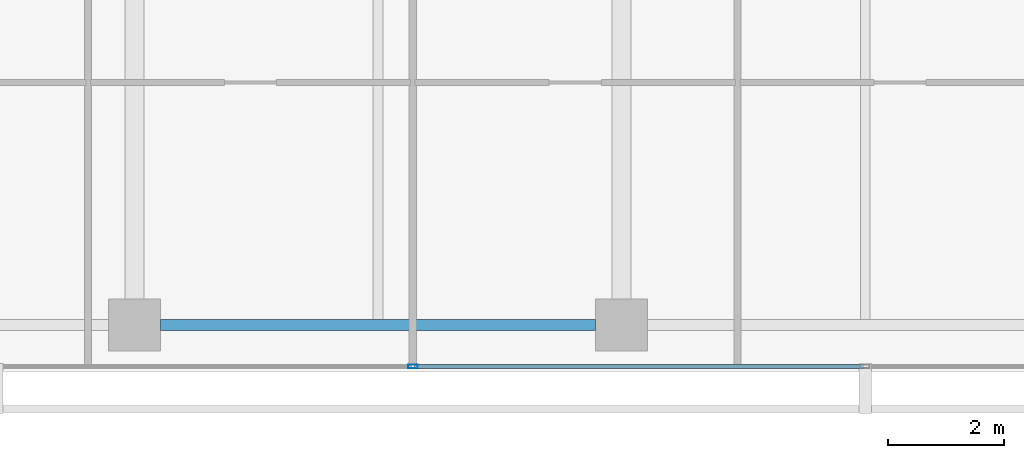
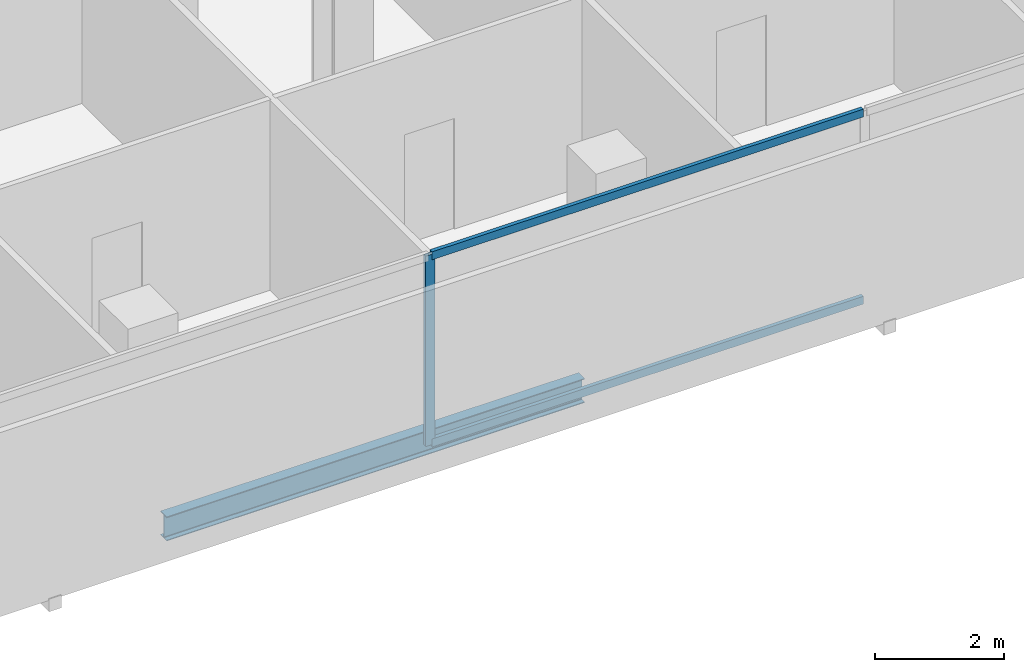
# One storey, part 7 of 40: 3 members, 1 beam, 1 element without a shape of its own.
"""IFC4 building model written with IfcOpenShell, lengths in metres."""

from ifc_helpers import new_model, si_unit, direction, frame, origin, origin_2d, place, context, subcontext, project, spatial, hollow_rectangle, i_section, extrude, material, layer, layer_set, material_profile, profile_set, type_object, element, aggregate, save


model = new_model("IFC4")

# Units and contexts
model_context = context("Model", 3, precision=1e-05, world=origin(), true_north=direction((0.0, 1.0)))
body_context = subcontext(model_context, "Body", "Model", "MODEL_VIEW")
ifc_project = project(units=[si_unit("LENGTHUNIT", "METRE"), si_unit("AREAUNIT", "SQUARE_METRE"), si_unit("VOLUMEUNIT", "CUBIC_METRE"), si_unit("PLANEANGLEUNIT", "RADIAN"), si_unit("MASSUNIT", "GRAM", prefix="KILO")], contexts=[model_context])

# Site, building, storey
site_placement = place(None, origin())
site = spatial("IfcSite", under=ifc_project, at=site_placement, CompositionType="ELEMENT")
building_placement = place(site_placement, origin())
building = spatial("IfcBuilding", under=site, at=building_placement, Name="Maruvema Waterfront Hotel and Observation Tower", CompositionType="ELEMENT")
storey_placement = place(building_placement, frame((0.0, 0.0, 53.89990234375)))
storey = spatial("IfcBuildingStorey", under=building, at=storey_placement, Name="L12", CompositionType="ELEMENT", Elevation=53.89990234375)

# Curtain wall, members
ifc_material_1 = material(Name="Anodised bronze aluminium and solar-control low-E IGU", Category="aluminium")
ifc_layer = layer(ifc_material_1, 0.159912109375, Name="Zone 1 Bronze Inner Thermal Curtain Wall System CW-02")
ifc_layer_set = layer_set([ifc_layer], Name="Anodised bronze aluminium and solar-control low-E IGU")
curtain_wall_type = type_object("IfcCurtainWallType", Name="Zone 1 Bronze Inner Thermal Curtain Wall System CW-02", PredefinedType="USERDEFINED", material=ifc_layer_set)
curtain_wall_placement = place(storey_placement, origin())
curtain_wall = element("IfcCurtainWall", 1, at=curtain_wall_placement, inside=storey, type_object=curtain_wall_type, Name="L12 Curtain Wall CW-L12-S", ObjectType="UNITISED CURTAIN WALL", PredefinedType="USERDEFINED")
ifc_material_2 = material(Name="Anodised architectural bronze aluminium", Category="aluminium")
ifc_material_profile_1 = material_profile(ifc_material_2, hollow_rectangle(XDim=0.070068359375, YDim=0.14990234375, WallThickness=0.00390625, at=origin_2d()), Name="ALU-T70x150")
ifc_profile_set_1 = profile_set([ifc_material_profile_1], Name="Anodised architectural bronze aluminium")
member_type_1 = type_object("IfcMemberType", Name="Curtain Wall Horizontal Transom ALU-T70x150", PredefinedType="USERDEFINED", material=ifc_profile_set_1)
member_1_placement = place(storey_placement, frame((30.030029296875, 0.080078125, 0.030029296875), z_axis=(1.0, 0.0, 0.0), x_axis=(0.0, 1.0, 0.0)))
member_1 = element("IfcMember", 2, at=member_1_placement, type_object=member_type_1, Name="CW-02 transom 3.1", ObjectType="TRANSOM", PredefinedType="USERDEFINED", context=body_context, shape_type="SweptSolid", body=[
    extrude(hollow_rectangle(XDim=0.070068359375, YDim=0.14990234375, WallThickness=0.00390625, at=origin_2d()), origin(), (0.0, 0.0, 1.0), 7.739990234375),
])
member_2_placement = place(storey_placement, frame((30.030029296875, 0.080078125, 3.580078125), z_axis=(1.0, 0.0, 0.0), x_axis=(0.0, 1.0, 0.0)))
member_2 = element("IfcMember", 3, at=member_2_placement, type_object=member_type_1, Name="CW-02 transom 3.2", ObjectType="TRANSOM", PredefinedType="USERDEFINED", context=body_context, shape_type="SweptSolid", body=[
    extrude(hollow_rectangle(XDim=0.070068359375, YDim=0.14990234375, WallThickness=0.00390625, at=origin_2d()), origin(), (0.0, 0.0, 1.0), 7.739990234375),
])
ifc_material_3 = material(Name="Anodised architectural bronze aluminium", Category="aluminium")
ifc_material_profile_2 = material_profile(ifc_material_3, hollow_rectangle(XDim=0.06494140625, YDim=0.1650390625, WallThickness=0.00390625, at=origin_2d()), Name="ALU-M65x165")
ifc_profile_set_2 = profile_set([ifc_material_profile_2], Name="Anodised architectural bronze aluminium")
member_type_2 = type_object("IfcMemberType", Name="Curtain Wall Primary Mullion ALU-M65x165", PredefinedType="MULLION", material=ifc_profile_set_2)
member_3_placement = place(storey_placement, frame((30.0, 0.080078125, 0.0), z_axis=(0.0, 0.0, 1.0), x_axis=(0.0, 1.0, 0.0)))
member_3 = element("IfcMember", 4, at=member_3_placement, type_object=member_type_2, Name="CW-02 mullion 3", PredefinedType="MULLION", context=body_context, shape_type="SweptSolid", body=[
    extrude(hollow_rectangle(XDim=0.06494140625, YDim=0.1650390625, WallThickness=0.00390625, at=origin_2d()), origin(), (0.0, 0.0, 1.0), 3.610107421875),
])
aggregate(curtain_wall, [member_3, member_1, member_2])

# Beam
ifc_material_4 = material(Name="Steel ASTM A572 Grade 50", Category="steel")
ifc_material_profile_3 = material_profile(ifc_material_4, i_section(OverallWidth=0.18994140625, OverallDepth=0.45703125, WebThickness=0.009033203125, FlangeThickness=0.014404296875, FilletRadius=0.014892578125, at=origin_2d()), Name="W460x74.0")
ifc_profile_set_3 = profile_set([ifc_material_profile_3], Name="Steel ASTM A572 Grade 50")
beam_type = type_object("IfcBeamType", Name="Perimeter Spandrel Beam W460x74.0", PredefinedType="SPANDREL", material=ifc_profile_set_3)
beam_placement = place(storey_placement, frame((25.64990234375, 0.800048828125, -0.468505859375), z_axis=(1.0, 0.0, 0.0), x_axis=(0.0, 1.0, 0.0)))
element("IfcBeam", 5, at=beam_placement, inside=storey, type_object=beam_type, Name="L12 Floor Girder EW-02", PredefinedType="SPANDREL", context=body_context, shape_type="SweptSolid", body=[
    extrude(i_section(OverallWidth=0.18994140625, OverallDepth=0.45703125, WebThickness=0.009033203125, FlangeThickness=0.014404296875, FilletRadius=0.014892578125, at=origin_2d()), origin(), (0.0, 0.0, 1.0), 7.5),
])

save(model, "model.ifc")
